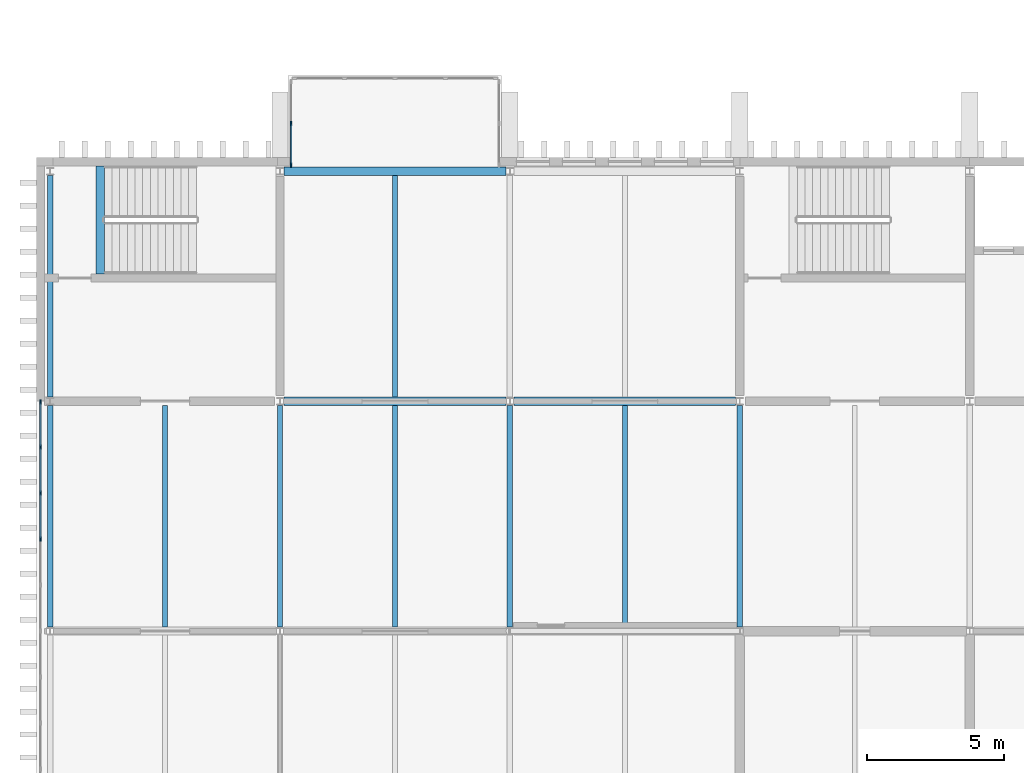
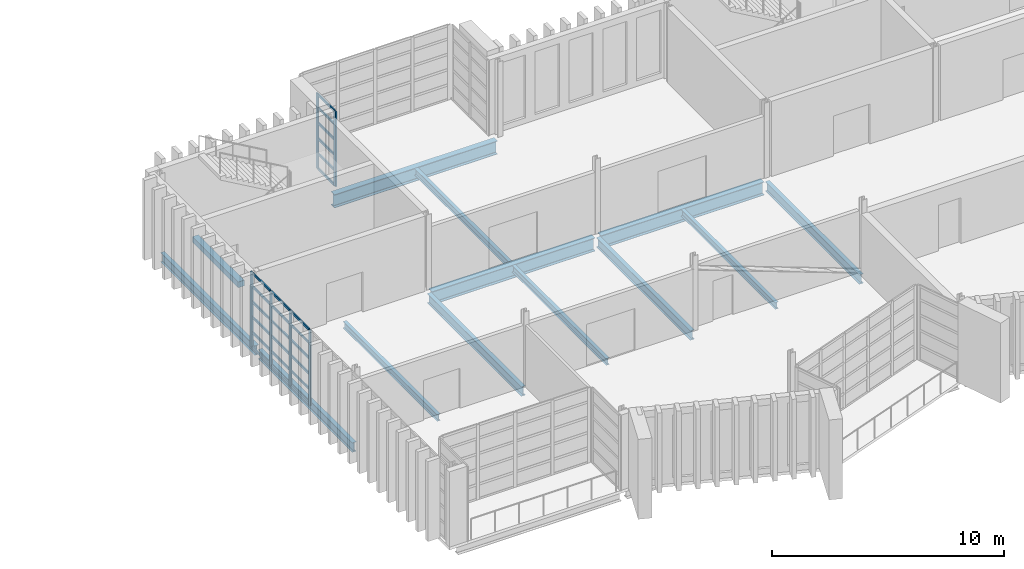
# One storey, part 16 of 88: 30 members, 13 beams, 2 elements without a shape of their own.
"""IFC4 building model written with IfcOpenShell, lengths in metres."""

from ifc_helpers import new_model, si_unit, direction, frame, origin, origin_2d, place, context, subcontext, project, spatial, rectangle, i_section, extrude, material, layer, layer_set, material_profile, profile_set, type_object, element, aggregate, save


model = new_model("IFC4")

# Units and contexts
model_context = context("Model", 3, precision=1e-05, world=origin(), true_north=direction((0.0, 1.0)))
body_context = subcontext(model_context, "Body", "Model", "MODEL_VIEW")
ifc_project = project(units=[si_unit("LENGTHUNIT", "METRE"), si_unit("AREAUNIT", "SQUARE_METRE"), si_unit("VOLUMEUNIT", "CUBIC_METRE"), si_unit("PLANEANGLEUNIT", "RADIAN"), si_unit("MASSUNIT", "GRAM", prefix="KILO")], contexts=[model_context])

# Site, building, storey
site_placement = place(None, origin())
site = spatial("IfcSite", under=ifc_project, at=site_placement, CompositionType="ELEMENT")
building_placement = place(site_placement, origin())
building = spatial("IfcBuilding", under=site, at=building_placement, Name="Cresset Court Congress Hotel", CompositionType="ELEMENT")
storey_placement = place(building_placement, frame((0.0, 0.0, 14.39990234375)))
storey = spatial("IfcBuildingStorey", under=building, at=storey_placement, Name="L03", CompositionType="ELEMENT", Elevation=14.39990234375)

# Curtain wall, members
ifc_material_1 = material(Name="Aluminium frame with double glazing", Category="aluminium")
ifc_layer = layer(ifc_material_1, 0.199951171875)
ifc_layer_set = layer_set([ifc_layer], Name="Glazed box curtain wall 1680 module")
curtain_wall_type = type_object("IfcCurtainWallType", Name="Glazed box curtain wall 1680 module", PredefinedType="NOTDEFINED", material=ifc_layer_set)
curtain_wall_1_placement = place(storey_placement, origin())
curtain_wall_1 = element("IfcCurtainWall", 1, at=curtain_wall_1_placement, inside=storey, type_object=curtain_wall_type, Name="Glazed box N0325 side", PredefinedType="NOTDEFINED")
ifc_material_2 = material(Name="Aluminium", Category="aluminium")
ifc_material_profile_1 = material_profile(ifc_material_2, rectangle(XDim=0.06005859375, YDim=0.159912109375, at=origin_2d()), Name="Box mullion 60x160")
ifc_profile_set_1 = profile_set([ifc_material_profile_1], Name="Aluminium")
member_type_1 = type_object("IfcMemberType", Name="Box mullion 60x160", PredefinedType="MULLION", material=ifc_profile_set_1)
member_1_placement = place(storey_placement, frame((17.199951171875, 25.429931640625, 0.0), z_axis=(0.0, 0.0, 1.0), x_axis=(-1.0, 0.0, 0.0)))
member_1 = element("IfcMember", 2, at=member_1_placement, type_object=member_type_1, Name="B-X1 mullion 1", PredefinedType="MULLION", context=body_context, shape_type="SweptSolid", body=[
    extrude(rectangle(XDim=0.06005859375, YDim=0.159912109375, at=origin_2d()), origin(), (0.0, 0.0, 1.0), 3.9501953125),
])
member_2_placement = place(storey_placement, frame((17.199951171875, 26.949951171875, 0.0), z_axis=(0.0, 0.0, 1.0), x_axis=(-1.0, 0.0, 0.0)))
member_2 = element("IfcMember", 3, at=member_2_placement, type_object=member_type_1, Name="B-X1 mullion 2", PredefinedType="MULLION", context=body_context, shape_type="SweptSolid", body=[
    extrude(rectangle(XDim=0.06005859375, YDim=0.159912109375, at=origin_2d()), origin(), (0.0, 0.0, 1.0), 3.9501953125),
])

curtain_wall_2_placement = place(storey_placement, origin())
curtain_wall_2 = element("IfcCurtainWall", 4, at=curtain_wall_2_placement, inside=storey, type_object=curtain_wall_type, Name="Foyer glazed front L03", PredefinedType="NOTDEFINED")
member_3_placement = place(storey_placement, frame((8.050048828125, 11.760009765625, 0.0), z_axis=(0.0, 0.0, 1.0), x_axis=(-1.0, 0.0, 0.0)))
member_3 = element("IfcMember", 5, at=member_3_placement, type_object=member_type_1, Name="B-X1 mullion 8", PredefinedType="MULLION", context=body_context, shape_type="SweptSolid", body=[
    extrude(rectangle(XDim=0.06005859375, YDim=0.159912109375, at=origin_2d()), origin(), (0.0, 0.0, 1.0), 3.9501953125),
])
member_4_placement = place(storey_placement, frame((8.050048828125, 13.43994140625, 0.0), z_axis=(0.0, 0.0, 1.0), x_axis=(-1.0, 0.0, 0.0)))
member_4 = element("IfcMember", 6, at=member_4_placement, type_object=member_type_1, Name="B-X1 mullion 9", PredefinedType="MULLION", context=body_context, shape_type="SweptSolid", body=[
    extrude(rectangle(XDim=0.06005859375, YDim=0.159912109375, at=origin_2d()), origin(), (0.0, 0.0, 1.0), 3.9501953125),
])
member_5_placement = place(storey_placement, frame((8.050048828125, 15.1201171875, 0.0), z_axis=(0.0, 0.0, 1.0), x_axis=(-1.0, 0.0, 0.0)))
member_5 = element("IfcMember", 7, at=member_5_placement, type_object=member_type_1, Name="B-X1 mullion 10", PredefinedType="MULLION", context=body_context, shape_type="SweptSolid", body=[
    extrude(rectangle(XDim=0.06005859375, YDim=0.159912109375, at=origin_2d()), origin(), (0.0, 0.0, 1.0), 3.9501953125),
])
member_6_placement = place(storey_placement, frame((8.050048828125, 16.77001953125, 0.0), z_axis=(0.0, 0.0, 1.0), x_axis=(-1.0, 0.0, 0.0)))
member_6 = element("IfcMember", 8, at=member_6_placement, type_object=member_type_1, Name="B-X1 mullion 11", PredefinedType="MULLION", context=body_context, shape_type="SweptSolid", body=[
    extrude(rectangle(XDim=0.06005859375, YDim=0.159912109375, at=origin_2d()), origin(), (0.0, 0.0, 1.0), 3.9501953125),
])

# Member
ifc_material_3 = material(Name="Aluminium", Category="aluminium")
ifc_material_profile_2 = material_profile(ifc_material_3, rectangle(XDim=0.06005859375, YDim=0.1201171875, at=origin_2d()), Name="Box transom 60x120")
ifc_profile_set_2 = profile_set([ifc_material_profile_2], Name="Aluminium")
member_type_2 = type_object("IfcMemberType", Name="Box transom 60x120", PredefinedType="USERDEFINED", material=ifc_profile_set_2)
member_7_placement = place(storey_placement, frame((17.199951171875, 25.4599609375, 0.030029296875), z_axis=(0.0, 1.0, 0.0), x_axis=(-1.0, 0.0, 0.0)))
member_7 = element("IfcMember", 9, at=member_7_placement, type_object=member_type_2, Name="B-X1 transom 1.1", ObjectType="TRANSOM", PredefinedType="USERDEFINED", context=body_context, shape_type="SweptSolid", body=[
    extrude(rectangle(XDim=0.06005859375, YDim=0.1201171875, at=origin_2d()), origin(), (0.0, 0.0, 1.0), 1.4599609375),
])

member_8_placement = place(storey_placement, frame((17.199951171875, 25.4599609375, 0.80517578125), z_axis=(0.0, 1.0, 0.0), x_axis=(-1.0, 0.0, 0.0)))
member_8 = element("IfcMember", 10, at=member_8_placement, type_object=member_type_2, Name="B-X1 transom 1.2", ObjectType="TRANSOM", PredefinedType="USERDEFINED", context=body_context, shape_type="SweptSolid", body=[
    extrude(rectangle(XDim=0.06005859375, YDim=0.1201171875, at=origin_2d()), origin(), (0.0, 0.0, 1.0), 1.4599609375),
])

member_9_placement = place(storey_placement, frame((17.199951171875, 25.4599609375, 1.610107421875), z_axis=(0.0, 1.0, 0.0), x_axis=(-1.0, 0.0, 0.0)))
member_9 = element("IfcMember", 11, at=member_9_placement, type_object=member_type_2, Name="B-X1 transom 1.3", ObjectType="TRANSOM", PredefinedType="USERDEFINED", context=body_context, shape_type="SweptSolid", body=[
    extrude(rectangle(XDim=0.06005859375, YDim=0.1201171875, at=origin_2d()), origin(), (0.0, 0.0, 1.0), 1.4599609375),
])

member_10_placement = place(storey_placement, frame((17.199951171875, 25.4599609375, 2.4150390625), z_axis=(0.0, 1.0, 0.0), x_axis=(-1.0, 0.0, 0.0)))
member_10 = element("IfcMember", 12, at=member_10_placement, type_object=member_type_2, Name="B-X1 transom 1.4", ObjectType="TRANSOM", PredefinedType="USERDEFINED", context=body_context, shape_type="SweptSolid", body=[
    extrude(rectangle(XDim=0.06005859375, YDim=0.1201171875, at=origin_2d()), origin(), (0.0, 0.0, 1.0), 1.4599609375),
])

member_11_placement = place(storey_placement, frame((17.199951171875, 25.4599609375, 3.22021484375), z_axis=(0.0, 1.0, 0.0), x_axis=(-1.0, 0.0, 0.0)))
member_11 = element("IfcMember", 13, at=member_11_placement, type_object=member_type_2, Name="B-X1 transom 1.5", ObjectType="TRANSOM", PredefinedType="USERDEFINED", context=body_context, shape_type="SweptSolid", body=[
    extrude(rectangle(XDim=0.06005859375, YDim=0.1201171875, at=origin_2d()), origin(), (0.0, 0.0, 1.0), 1.4599609375),
])

member_12_placement = place(storey_placement, frame((17.199951171875, 25.4599609375, 3.920166015625), z_axis=(0.0, 1.0, 0.0), x_axis=(-1.0, 0.0, 0.0)))
member_12 = element("IfcMember", 14, at=member_12_placement, type_object=member_type_2, Name="B-X1 transom 1.6", ObjectType="TRANSOM", PredefinedType="USERDEFINED", context=body_context, shape_type="SweptSolid", body=[
    extrude(rectangle(XDim=0.06005859375, YDim=0.1201171875, at=origin_2d()), origin(), (0.0, 0.0, 1.0), 1.4599609375),
])

aggregate(curtain_wall_1, [member_1, member_2, member_7, member_8, member_9, member_10, member_11, member_12])

member_13_placement = place(storey_placement, frame((8.050048828125, 11.7900390625, 0.030029296875), z_axis=(0.0, 1.0, 0.0), x_axis=(-1.0, 0.0, 0.0)))
member_13 = element("IfcMember", 15, at=member_13_placement, type_object=member_type_2, Name="B-X1 transom 8.1", ObjectType="TRANSOM", PredefinedType="USERDEFINED", context=body_context, shape_type="SweptSolid", body=[
    extrude(rectangle(XDim=0.06005859375, YDim=0.1201171875, at=origin_2d()), origin(), (0.0, 0.0, 1.0), 1.619873046875),
])

member_14_placement = place(storey_placement, frame((8.050048828125, 11.7900390625, 0.80517578125), z_axis=(0.0, 1.0, 0.0), x_axis=(-1.0, 0.0, 0.0)))
member_14 = element("IfcMember", 16, at=member_14_placement, type_object=member_type_2, Name="B-X1 transom 8.2", ObjectType="TRANSOM", PredefinedType="USERDEFINED", context=body_context, shape_type="SweptSolid", body=[
    extrude(rectangle(XDim=0.06005859375, YDim=0.1201171875, at=origin_2d()), origin(), (0.0, 0.0, 1.0), 1.619873046875),
])

member_15_placement = place(storey_placement, frame((8.050048828125, 11.7900390625, 1.610107421875), z_axis=(0.0, 1.0, 0.0), x_axis=(-1.0, 0.0, 0.0)))
member_15 = element("IfcMember", 17, at=member_15_placement, type_object=member_type_2, Name="B-X1 transom 8.3", ObjectType="TRANSOM", PredefinedType="USERDEFINED", context=body_context, shape_type="SweptSolid", body=[
    extrude(rectangle(XDim=0.06005859375, YDim=0.1201171875, at=origin_2d()), origin(), (0.0, 0.0, 1.0), 1.619873046875),
])

member_16_placement = place(storey_placement, frame((8.050048828125, 11.7900390625, 2.4150390625), z_axis=(0.0, 1.0, 0.0), x_axis=(-1.0, 0.0, 0.0)))
member_16 = element("IfcMember", 18, at=member_16_placement, type_object=member_type_2, Name="B-X1 transom 8.4", ObjectType="TRANSOM", PredefinedType="USERDEFINED", context=body_context, shape_type="SweptSolid", body=[
    extrude(rectangle(XDim=0.06005859375, YDim=0.1201171875, at=origin_2d()), origin(), (0.0, 0.0, 1.0), 1.619873046875),
])

member_17_placement = place(storey_placement, frame((8.050048828125, 11.7900390625, 3.22021484375), z_axis=(0.0, 1.0, 0.0), x_axis=(-1.0, 0.0, 0.0)))
member_17 = element("IfcMember", 19, at=member_17_placement, type_object=member_type_2, Name="B-X1 transom 8.5", ObjectType="TRANSOM", PredefinedType="USERDEFINED", context=body_context, shape_type="SweptSolid", body=[
    extrude(rectangle(XDim=0.06005859375, YDim=0.1201171875, at=origin_2d()), origin(), (0.0, 0.0, 1.0), 1.619873046875),
])

member_18_placement = place(storey_placement, frame((8.050048828125, 11.7900390625, 3.920166015625), z_axis=(0.0, 1.0, 0.0), x_axis=(-1.0, 0.0, 0.0)))
member_18 = element("IfcMember", 20, at=member_18_placement, type_object=member_type_2, Name="B-X1 transom 8.6", ObjectType="TRANSOM", PredefinedType="USERDEFINED", context=body_context, shape_type="SweptSolid", body=[
    extrude(rectangle(XDim=0.06005859375, YDim=0.1201171875, at=origin_2d()), origin(), (0.0, 0.0, 1.0), 1.619873046875),
])

member_19_placement = place(storey_placement, frame((8.050048828125, 13.469970703125, 0.030029296875), z_axis=(0.0, 1.0, 0.0), x_axis=(-1.0, 0.0, 0.0)))
member_19 = element("IfcMember", 21, at=member_19_placement, type_object=member_type_2, Name="B-X1 transom 9.1", ObjectType="TRANSOM", PredefinedType="USERDEFINED", context=body_context, shape_type="SweptSolid", body=[
    extrude(rectangle(XDim=0.06005859375, YDim=0.1201171875, at=origin_2d()), origin(), (0.0, 0.0, 1.0), 1.6201171875),
])

member_20_placement = place(storey_placement, frame((8.050048828125, 13.469970703125, 0.80517578125), z_axis=(0.0, 1.0, 0.0), x_axis=(-1.0, 0.0, 0.0)))
member_20 = element("IfcMember", 22, at=member_20_placement, type_object=member_type_2, Name="B-X1 transom 9.2", ObjectType="TRANSOM", PredefinedType="USERDEFINED", context=body_context, shape_type="SweptSolid", body=[
    extrude(rectangle(XDim=0.06005859375, YDim=0.1201171875, at=origin_2d()), origin(), (0.0, 0.0, 1.0), 1.6201171875),
])

member_21_placement = place(storey_placement, frame((8.050048828125, 13.469970703125, 1.610107421875), z_axis=(0.0, 1.0, 0.0), x_axis=(-1.0, 0.0, 0.0)))
member_21 = element("IfcMember", 23, at=member_21_placement, type_object=member_type_2, Name="B-X1 transom 9.3", ObjectType="TRANSOM", PredefinedType="USERDEFINED", context=body_context, shape_type="SweptSolid", body=[
    extrude(rectangle(XDim=0.06005859375, YDim=0.1201171875, at=origin_2d()), origin(), (0.0, 0.0, 1.0), 1.6201171875),
])

member_22_placement = place(storey_placement, frame((8.050048828125, 13.469970703125, 2.4150390625), z_axis=(0.0, 1.0, 0.0), x_axis=(-1.0, 0.0, 0.0)))
member_22 = element("IfcMember", 24, at=member_22_placement, type_object=member_type_2, Name="B-X1 transom 9.4", ObjectType="TRANSOM", PredefinedType="USERDEFINED", context=body_context, shape_type="SweptSolid", body=[
    extrude(rectangle(XDim=0.06005859375, YDim=0.1201171875, at=origin_2d()), origin(), (0.0, 0.0, 1.0), 1.6201171875),
])

member_23_placement = place(storey_placement, frame((8.050048828125, 13.469970703125, 3.22021484375), z_axis=(0.0, 1.0, 0.0), x_axis=(-1.0, 0.0, 0.0)))
member_23 = element("IfcMember", 25, at=member_23_placement, type_object=member_type_2, Name="B-X1 transom 9.5", ObjectType="TRANSOM", PredefinedType="USERDEFINED", context=body_context, shape_type="SweptSolid", body=[
    extrude(rectangle(XDim=0.06005859375, YDim=0.1201171875, at=origin_2d()), origin(), (0.0, 0.0, 1.0), 1.6201171875),
])

member_24_placement = place(storey_placement, frame((8.050048828125, 13.469970703125, 3.920166015625), z_axis=(0.0, 1.0, 0.0), x_axis=(-1.0, 0.0, 0.0)))
member_24 = element("IfcMember", 26, at=member_24_placement, type_object=member_type_2, Name="B-X1 transom 9.6", ObjectType="TRANSOM", PredefinedType="USERDEFINED", context=body_context, shape_type="SweptSolid", body=[
    extrude(rectangle(XDim=0.06005859375, YDim=0.1201171875, at=origin_2d()), origin(), (0.0, 0.0, 1.0), 1.6201171875),
])

member_25_placement = place(storey_placement, frame((8.050048828125, 15.14990234375, 0.030029296875), z_axis=(0.0, 1.0, 0.0), x_axis=(-1.0, 0.0, 0.0)))
member_25 = element("IfcMember", 27, at=member_25_placement, type_object=member_type_2, Name="B-X1 transom 10.1", ObjectType="TRANSOM", PredefinedType="USERDEFINED", context=body_context, shape_type="SweptSolid", body=[
    extrude(rectangle(XDim=0.06005859375, YDim=0.1201171875, at=origin_2d()), origin(), (0.0, 0.0, 1.0), 1.590087890625),
])

member_26_placement = place(storey_placement, frame((8.050048828125, 15.14990234375, 0.80517578125), z_axis=(0.0, 1.0, 0.0), x_axis=(-1.0, 0.0, 0.0)))
member_26 = element("IfcMember", 28, at=member_26_placement, type_object=member_type_2, Name="B-X1 transom 10.2", ObjectType="TRANSOM", PredefinedType="USERDEFINED", context=body_context, shape_type="SweptSolid", body=[
    extrude(rectangle(XDim=0.06005859375, YDim=0.1201171875, at=origin_2d()), origin(), (0.0, 0.0, 1.0), 1.590087890625),
])

member_27_placement = place(storey_placement, frame((8.050048828125, 15.14990234375, 1.610107421875), z_axis=(0.0, 1.0, 0.0), x_axis=(-1.0, 0.0, 0.0)))
member_27 = element("IfcMember", 29, at=member_27_placement, type_object=member_type_2, Name="B-X1 transom 10.3", ObjectType="TRANSOM", PredefinedType="USERDEFINED", context=body_context, shape_type="SweptSolid", body=[
    extrude(rectangle(XDim=0.06005859375, YDim=0.1201171875, at=origin_2d()), origin(), (0.0, 0.0, 1.0), 1.590087890625),
])

member_28_placement = place(storey_placement, frame((8.050048828125, 15.14990234375, 2.4150390625), z_axis=(0.0, 1.0, 0.0), x_axis=(-1.0, 0.0, 0.0)))
member_28 = element("IfcMember", 30, at=member_28_placement, type_object=member_type_2, Name="B-X1 transom 10.4", ObjectType="TRANSOM", PredefinedType="USERDEFINED", context=body_context, shape_type="SweptSolid", body=[
    extrude(rectangle(XDim=0.06005859375, YDim=0.1201171875, at=origin_2d()), origin(), (0.0, 0.0, 1.0), 1.590087890625),
])

member_29_placement = place(storey_placement, frame((8.050048828125, 15.14990234375, 3.22021484375), z_axis=(0.0, 1.0, 0.0), x_axis=(-1.0, 0.0, 0.0)))
member_29 = element("IfcMember", 31, at=member_29_placement, type_object=member_type_2, Name="B-X1 transom 10.5", ObjectType="TRANSOM", PredefinedType="USERDEFINED", context=body_context, shape_type="SweptSolid", body=[
    extrude(rectangle(XDim=0.06005859375, YDim=0.1201171875, at=origin_2d()), origin(), (0.0, 0.0, 1.0), 1.590087890625),
])

member_30_placement = place(storey_placement, frame((8.050048828125, 15.14990234375, 3.920166015625), z_axis=(0.0, 1.0, 0.0), x_axis=(-1.0, 0.0, 0.0)))
member_30 = element("IfcMember", 32, at=member_30_placement, type_object=member_type_2, Name="B-X1 transom 10.6", ObjectType="TRANSOM", PredefinedType="USERDEFINED", context=body_context, shape_type="SweptSolid", body=[
    extrude(rectangle(XDim=0.06005859375, YDim=0.1201171875, at=origin_2d()), origin(), (0.0, 0.0, 1.0), 1.590087890625),
])

aggregate(curtain_wall_2, [member_3, member_4, member_5, member_6, member_13, member_14, member_15, member_16, member_17, member_18, member_19, member_20, member_21, member_22, member_23, member_24, member_25, member_26, member_27, member_28, member_29, member_30])

# Beams
ifc_material_4 = material(Name="Concrete C40", Category="concrete")
ifc_material_profile_3 = material_profile(ifc_material_4, rectangle(XDim=0.300048828125, YDim=0.300048828125, at=origin_2d()), Name="RC300x300")
ifc_profile_set_3 = profile_set([ifc_material_profile_3], Name="Concrete C40")
beam_type_1 = type_object("IfcBeamType", Name="Stair trimmer beam RC300x300", PredefinedType="BEAM", material=ifc_profile_set_3)
beam_1_placement = place(storey_placement, frame((10.22998046875, 21.449951171875, -0.2998046875), z_axis=(0.0, 1.0, 0.0), x_axis=(-1.0, 0.0, 0.0)))
element("IfcBeam", 33, at=beam_1_placement, inside=storey, type_object=beam_type_1, Name="Trimmer beam ST-B1 L03", PredefinedType="BEAM", context=body_context, shape_type="SweptSolid", body=[
    extrude(rectangle(XDim=0.300048828125, YDim=0.300048828125, at=origin_2d()), origin(), (0.0, 0.0, 1.0), 3.949951171875),
])
ifc_material_5 = material(Name="Structural steel Q355B", Category="steel")
ifc_material_profile_4 = material_profile(ifc_material_5, i_section(OverallWidth=0.199951171875, OverallDepth=0.5, WebThickness=0.010009765625, FlangeThickness=0.01611328125, FilletRadius=0.012939453125, at=origin_2d()), Name="HN500x200x10x16")
ifc_profile_set_4 = profile_set([ifc_material_profile_4], Name="Structural steel Q355B")
beam_type_2 = type_object("IfcBeamType", Name="Steel beam HN500x200x10x16", PredefinedType="BEAM", material=ifc_profile_set_4)
beam_2_placement = place(storey_placement, frame((8.39990234375, 8.550048828125, -0.39990234375), z_axis=(0.0, 1.0, 0.0), x_axis=(-1.0, 0.0, 0.0)))
element("IfcBeam", 34, at=beam_2_placement, inside=storey, type_object=beam_type_2, Name="B.by.L03.02B", PredefinedType="BEAM", context=body_context, shape_type="SweptSolid", body=[
    extrude(i_section(OverallWidth=0.199951171875, OverallDepth=0.5, WebThickness=0.010009765625, FlangeThickness=0.01611328125, FilletRadius=0.012939453125, at=origin_2d()), origin(), (0.0, 0.0, 1.0), 8.099853515625),
])
beam_3_placement = place(storey_placement, frame((8.39990234375, 16.949951171875, -0.39990234375), z_axis=(0.0, 1.0, 0.0), x_axis=(-1.0, 0.0, 0.0)))
element("IfcBeam", 35, at=beam_3_placement, inside=storey, type_object=beam_type_2, Name="B.by.L03.02C", PredefinedType="BEAM", context=body_context, shape_type="SweptSolid", body=[
    extrude(i_section(OverallWidth=0.199951171875, OverallDepth=0.5, WebThickness=0.010009765625, FlangeThickness=0.01611328125, FilletRadius=0.012939453125, at=origin_2d()), origin(), (0.0, 0.0, 1.0), 8.10009765625),
])
for number, where, z_axis, x_axis, name in (
    (36, (16.800048828125, 8.550048828125, -0.39990234375), (0.0, 1.0, 0.0), (-1.0, 0.0, 0.0), "B.by.L03.03B"),
    (37, (25.199951171875, 8.550048828125, -0.39990234375), (0.0, 1.0, 0.0), (-1.0, 0.0, 0.0), "B.by.L03.04B"),
    (38, (33.60009765625, 8.550048828125, -0.39990234375), (0.0, 1.0, 0.0), (-1.0, 0.0, 0.0), "B.by.L03.05B"),
):
    element("IfcBeam", number, at=place(storey_placement, frame(where, z_axis=z_axis, x_axis=x_axis)), inside=storey, type_object=beam_type_2, Name=name, PredefinedType="BEAM", context=body_context, shape_type="SweptSolid", body=[
        extrude(i_section(OverallWidth=0.199951171875, OverallDepth=0.5, WebThickness=0.010009765625, FlangeThickness=0.01611328125, FilletRadius=0.012939453125, at=origin_2d()), origin(), (0.0, 0.0, 1.0), 8.099853515625),
    ])
ifc_material_6 = material(Name="Structural steel Q355B", Category="steel")
ifc_material_profile_5 = material_profile(ifc_material_6, i_section(OverallWidth=0.300048828125, OverallDepth=0.699951171875, WebThickness=0.012939453125, FlangeThickness=0.02392578125, FilletRadius=0.01806640625, at=origin_2d()), Name="HN700x300x13x24")
ifc_profile_set_5 = profile_set([ifc_material_profile_5], Name="Structural steel Q355B")
beam_type_3 = type_object("IfcBeamType", Name="Steel beam HN700x300x13x24", PredefinedType="BEAM", material=ifc_profile_set_5)
beam_4_placement = place(storey_placement, frame((16.949951171875, 16.800048828125, -0.5), z_axis=(1.0, 0.0, 0.0), x_axis=(0.0, 1.0, 0.0)))
element("IfcBeam", 39, at=beam_4_placement, inside=storey, type_object=beam_type_3, Name="B.bx.L03.C03", PredefinedType="BEAM", context=body_context, shape_type="SweptSolid", body=[
    extrude(i_section(OverallWidth=0.300048828125, OverallDepth=0.699951171875, WebThickness=0.012939453125, FlangeThickness=0.02392578125, FilletRadius=0.01806640625, at=origin_2d()), origin(), (0.0, 0.0, 1.0), 8.10009765625),
])
beam_5_placement = place(storey_placement, frame((25.35009765625, 16.800048828125, -0.5), z_axis=(1.0, 0.0, 0.0), x_axis=(0.0, 1.0, 0.0)))
element("IfcBeam", 40, at=beam_5_placement, inside=storey, type_object=beam_type_3, Name="B.bx.L03.C04", PredefinedType="BEAM", context=body_context, shape_type="SweptSolid", body=[
    extrude(i_section(OverallWidth=0.300048828125, OverallDepth=0.699951171875, WebThickness=0.012939453125, FlangeThickness=0.02392578125, FilletRadius=0.01806640625, at=origin_2d()), origin(), (0.0, 0.0, 1.0), 8.099853515625),
])
beam_6_placement = place(storey_placement, frame((16.949951171875, 25.199951171875, -0.5), z_axis=(1.0, 0.0, 0.0), x_axis=(0.0, 1.0, 0.0)))
element("IfcBeam", 41, at=beam_6_placement, inside=storey, type_object=beam_type_3, Name="B.bx.L03.D03", PredefinedType="BEAM", context=body_context, shape_type="SweptSolid", body=[
    extrude(i_section(OverallWidth=0.300048828125, OverallDepth=0.699951171875, WebThickness=0.012939453125, FlangeThickness=0.02392578125, FilletRadius=0.01806640625, at=origin_2d()), origin(), (0.0, 0.0, 1.0), 8.10009765625),
])
ifc_material_7 = material(Name="Structural steel Q355B", Category="steel")
ifc_material_profile_6 = material_profile(ifc_material_7, i_section(OverallWidth=0.175048828125, OverallDepth=0.35009765625, WebThickness=0.007080078125, FlangeThickness=0.010986328125, FilletRadius=0.012939453125, at=origin_2d()), Name="HN350x175x7x11")
ifc_profile_set_6 = profile_set([ifc_material_profile_6], Name="Structural steel Q355B")
beam_type_4 = type_object("IfcBeamType", Name="Steel joist HN350x175x7x11", PredefinedType="JOIST", material=ifc_profile_set_6)
for number, where, z_axis, x_axis, name in (
    (42, (12.60009765625, 8.550048828125, -0.324951171875), (0.0, 1.0, 0.0), (-1.0, 0.0, 0.0), "B.bj.L03.02B"),
    (43, (21.0, 8.550048828125, -0.324951171875), (0.0, 1.0, 0.0), (-1.0, 0.0, 0.0), "B.bj.L03.03B"),
):
    element("IfcBeam", number, at=place(storey_placement, frame(where, z_axis=z_axis, x_axis=x_axis)), inside=storey, type_object=beam_type_4, Name=name, PredefinedType="JOIST", context=body_context, shape_type="SweptSolid", body=[
        extrude(i_section(OverallWidth=0.175048828125, OverallDepth=0.35009765625, WebThickness=0.007080078125, FlangeThickness=0.010986328125, FilletRadius=0.012939453125, at=origin_2d()), origin(), (0.0, 0.0, 1.0), 8.099853515625),
    ])
beam_7_placement = place(storey_placement, frame((21.0, 16.949951171875, -0.324951171875), z_axis=(0.0, 1.0, 0.0), x_axis=(-1.0, 0.0, 0.0)))
element("IfcBeam", 44, at=beam_7_placement, inside=storey, type_object=beam_type_4, Name="B.bj.L03.03C", PredefinedType="JOIST", context=body_context, shape_type="SweptSolid", body=[
    extrude(i_section(OverallWidth=0.175048828125, OverallDepth=0.35009765625, WebThickness=0.007080078125, FlangeThickness=0.010986328125, FilletRadius=0.012939453125, at=origin_2d()), origin(), (0.0, 0.0, 1.0), 8.10009765625),
])
beam_8_placement = place(storey_placement, frame((29.39990234375, 8.550048828125, -0.324951171875), z_axis=(0.0, 1.0, 0.0), x_axis=(-1.0, 0.0, 0.0)))
element("IfcBeam", 45, at=beam_8_placement, inside=storey, type_object=beam_type_4, Name="B.bj.L03.04B", PredefinedType="JOIST", context=body_context, shape_type="SweptSolid", body=[
    extrude(i_section(OverallWidth=0.175048828125, OverallDepth=0.35009765625, WebThickness=0.007080078125, FlangeThickness=0.010986328125, FilletRadius=0.012939453125, at=origin_2d()), origin(), (0.0, 0.0, 1.0), 8.099853515625),
])

save(model, "model.ifc")
